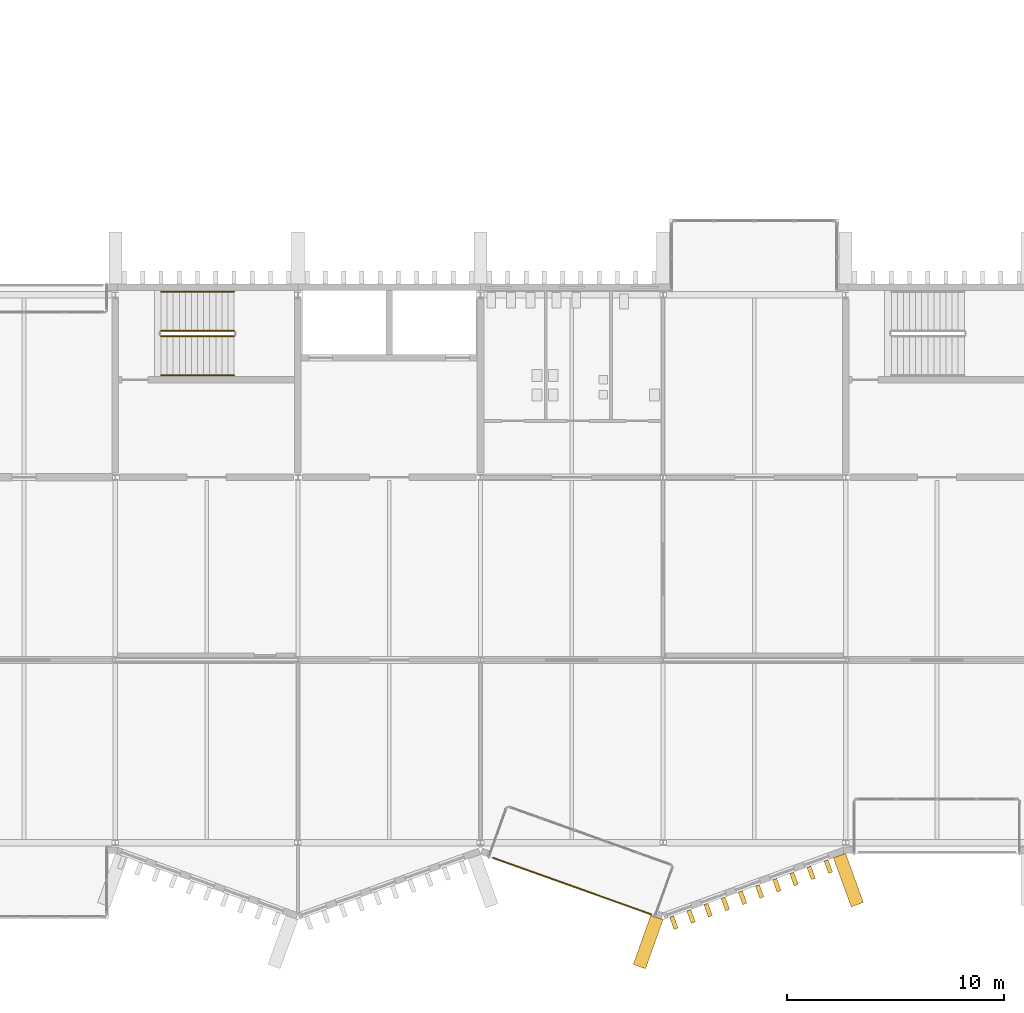
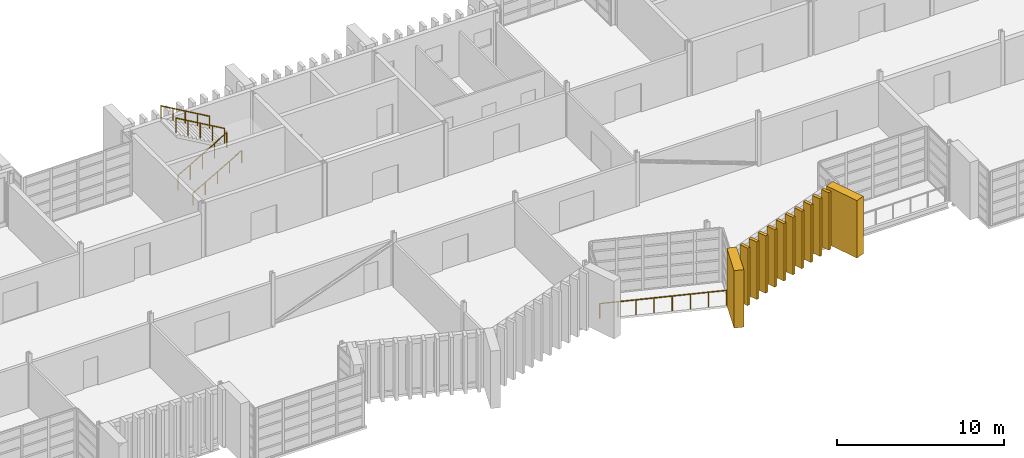
# One storey, part 81 of 88: 12 coverings, 5 railings.
"""IFC4 building model written with IfcOpenShell, lengths in metres."""

from ifc_helpers import new_model, si_unit, direction, frame, origin, origin_2d, place, context, subcontext, project, spatial, rectangle, circle, extrude, material, type_object, element, save


model = new_model("IFC4")

# Units and contexts
model_context = context("Model", 3, precision=1e-05, world=origin(), true_north=direction((0.0, 1.0)))
body_context = subcontext(model_context, "Body", "Model", "MODEL_VIEW")
ifc_project = project(units=[si_unit("LENGTHUNIT", "METRE"), si_unit("AREAUNIT", "SQUARE_METRE"), si_unit("VOLUMEUNIT", "CUBIC_METRE"), si_unit("PLANEANGLEUNIT", "RADIAN"), si_unit("MASSUNIT", "GRAM", prefix="KILO")], contexts=[model_context])

# Site, building, storey
site_placement = place(None, origin())
site = spatial("IfcSite", under=ifc_project, at=site_placement, CompositionType="ELEMENT")
building_placement = place(site_placement, origin())
building = spatial("IfcBuilding", under=site, at=building_placement, Name="Cresset Court Congress Hotel", CompositionType="ELEMENT")
storey_placement = place(building_placement, frame((0.0, 0.0, 14.39990234375)))
storey = spatial("IfcBuildingStorey", under=building, at=storey_placement, Name="L03", CompositionType="ELEMENT", Elevation=14.39990234375)

# Railings
ifc_material_1 = material(Name="Steel and laminated glass", Category="steel")
railing_type_1 = type_object("IfcRailingType", Name="Guard 1100 steel and glass", PredefinedType="GUARDRAIL", material=ifc_material_1)
railing_1_placement = place(storey_placement, frame((102.89990234375, 23.300048828125, 0.16162109375)))
element("IfcRailing", 1, at=railing_1_placement, inside=storey, type_object=railing_type_1, Name="L03 ST-B4 stair guard 1", PredefinedType="GUARDRAIL", context=body_context, shape_type="SweptSolid", body=[
    extrude(circle(Radius=0.02392578125, at=origin_2d()), frame((0.0, 0.0, 1.076171875), z_axis=(0.866190824863, 0.0, 0.499713372768), x_axis=(0.0, 1.0, 0.0)), (0.0, 0.0, 1.0), 3.879150390625),
    extrude(circle(Radius=0.02099609375, at=origin_2d()), origin(), (0.0, 0.0, 1.0), 1.052001953125),
    extrude(circle(Radius=0.02099609375, at=origin_2d()), frame((0.840087890625, 0.0, 0.484619140625)), (0.0, 0.0, 1.0), 1.052001953125),
    extrude(circle(Radius=0.02099609375, at=origin_2d()), frame((1.68017578125, 0.0, 0.96923828125)), (0.0, 0.0, 1.0), 1.052001953125),
    extrude(circle(Radius=0.02099609375, at=origin_2d()), frame((2.52001953125, 0.0, 1.453857421875)), (0.0, 0.0, 1.0), 1.052001953125),
    extrude(circle(Radius=0.02099609375, at=origin_2d()), frame((3.360107421875, 0.0, 1.9384765625)), (0.0, 0.0, 1.0), 1.052001953125),
])
railing_2_placement = place(storey_placement, frame((106.260009765625, 23.550048828125, 2.26171875)))
element("IfcRailing", 2, at=railing_2_placement, inside=storey, type_object=railing_type_1, Name="L03 ST-B4 stair guard 3", PredefinedType="GUARDRAIL", context=body_context, shape_type="SweptSolid", body=[
    extrude(circle(Radius=0.02392578125, at=origin_2d()), frame((0.0, 0.0, 1.076171875), z_axis=(-0.866190824863, 0.0, 0.499713372768), x_axis=(0.0, -1.0, 0.0)), (0.0, 0.0, 1.0), 3.879150390625),
    extrude(circle(Radius=0.02099609375, at=origin_2d()), origin(), (0.0, 0.0, 1.0), 1.052001953125),
    extrude(circle(Radius=0.02099609375, at=origin_2d()), frame((-0.840087890625, 0.0, 0.484619140625)), (0.0, 0.0, 1.0), 1.052001953125),
    extrude(circle(Radius=0.02099609375, at=origin_2d()), frame((-1.68017578125, 0.0, 0.96923828125)), (0.0, 0.0, 1.0), 1.052001953125),
    extrude(circle(Radius=0.02099609375, at=origin_2d()), frame((-2.52001953125, 0.0, 1.453857421875)), (0.0, 0.0, 1.0), 1.052001953125),
    extrude(circle(Radius=0.02099609375, at=origin_2d()), frame((-3.360107421875, 0.0, 1.9384765625)), (0.0, 0.0, 1.0), 1.052001953125),
])
ifc_material_2 = material(Name="Steel and laminated glass", Category="steel")
railing_type_2 = type_object("IfcRailingType", Name="Guard 1100 steel and glass external", PredefinedType="GUARDRAIL", material=ifc_material_2)
railing_3_placement = place(storey_placement, frame((118.181884765625, -0.704833984375, 0.0)))
element("IfcRailing", 3, at=railing_3_placement, inside=storey, type_object=railing_type_2, Name="Guard to recess S0317", PredefinedType="GUARDRAIL", context=body_context, shape_type="SweptSolid", body=[
    extrude(circle(Radius=0.02392578125, at=origin_2d()), frame((0.0, 0.0, 1.076171875), z_axis=(0.941748351249, -0.336318365422, 0.0), x_axis=(0.336318365422, 0.941748351249, 0.0)), (0.0, 0.0, 1.0), 7.719482421875),
    extrude(circle(Radius=0.02099609375, at=origin_2d()), origin(), (0.0, 0.0, 1.0), 1.052001953125),
    extrude(circle(Radius=0.02099609375, at=origin_2d()), frame((1.03857421875, -0.370849609375, 0.0)), (0.0, 0.0, 1.0), 1.052001953125),
    extrude(circle(Radius=0.02099609375, at=origin_2d()), frame((2.0771484375, -0.74169921875, 0.0)), (0.0, 0.0, 1.0), 1.052001953125),
    extrude(circle(Radius=0.02099609375, at=origin_2d()), frame((3.11572265625, -1.112548828125, 0.0)), (0.0, 0.0, 1.0), 1.052001953125),
    extrude(circle(Radius=0.02099609375, at=origin_2d()), frame((4.154052734375, -1.483642578125, 0.0)), (0.0, 0.0, 1.0), 1.052001953125),
    extrude(circle(Radius=0.02099609375, at=origin_2d()), frame((5.192626953125, -1.8544921875, 0.0)), (0.0, 0.0, 1.0), 1.052001953125),
    extrude(circle(Radius=0.02099609375, at=origin_2d()), frame((6.231201171875, -2.225341796875, 0.0)), (0.0, 0.0, 1.0), 1.052001953125),
    extrude(circle(Radius=0.02099609375, at=origin_2d()), frame((7.269775390625, -2.59619140625, 0.0)), (0.0, 0.0, 1.0), 1.052001953125),
])
ifc_material_3 = material(Name="Stainless steel", Category="steel")
railing_type_3 = type_object("IfcRailingType", Name="Handrail 48 stainless", PredefinedType="HANDRAIL", material=ifc_material_3)
railing_4_placement = place(storey_placement, frame((102.89990234375, 21.5, 0.16162109375)))
element("IfcRailing", 4, at=railing_4_placement, inside=storey, type_object=railing_type_3, Name="L03 ST-B4 stair handrail 1", PredefinedType="HANDRAIL", context=body_context, shape_type="SweptSolid", body=[
    extrude(circle(Radius=0.02392578125, at=origin_2d()), frame((0.0, 0.0, 0.8759765625), z_axis=(0.866190824863, 0.0, 0.499713372768), x_axis=(0.0, 1.0, 0.0)), (0.0, 0.0, 1.0), 3.879150390625),
    extrude(circle(Radius=0.02099609375, at=origin_2d()), origin(), (0.0, 0.0, 1.0), 0.851806640625),
    extrude(circle(Radius=0.02099609375, at=origin_2d()), frame((0.840087890625, 0.0, 0.484619140625)), (0.0, 0.0, 1.0), 0.851806640625),
    extrude(circle(Radius=0.02099609375, at=origin_2d()), frame((1.68017578125, 0.0, 0.96923828125)), (0.0, 0.0, 1.0), 0.851806640625),
    extrude(circle(Radius=0.02099609375, at=origin_2d()), frame((2.52001953125, 0.0, 1.453857421875)), (0.0, 0.0, 1.0), 0.851806640625),
    extrude(circle(Radius=0.02099609375, at=origin_2d()), frame((3.360107421875, 0.0, 1.9384765625)), (0.0, 0.0, 1.0), 0.851806640625),
])
railing_5_placement = place(storey_placement, frame((106.260009765625, 25.35009765625, 2.26171875)))
element("IfcRailing", 5, at=railing_5_placement, inside=storey, type_object=railing_type_3, Name="L03 ST-B4 stair handrail 2", PredefinedType="HANDRAIL", context=body_context, shape_type="SweptSolid", body=[
    extrude(circle(Radius=0.02392578125, at=origin_2d()), frame((0.0, 0.0, 0.8759765625), z_axis=(-0.866190824863, 0.0, 0.499713372768), x_axis=(0.0, -1.0, 0.0)), (0.0, 0.0, 1.0), 3.879150390625),
    extrude(circle(Radius=0.02099609375, at=origin_2d()), origin(), (0.0, 0.0, 1.0), 0.851806640625),
    extrude(circle(Radius=0.02099609375, at=origin_2d()), frame((-0.840087890625, 0.0, 0.484619140625)), (0.0, 0.0, 1.0), 0.851806640625),
    extrude(circle(Radius=0.02099609375, at=origin_2d()), frame((-1.68017578125, 0.0, 0.96923828125)), (0.0, 0.0, 1.0), 0.851806640625),
    extrude(circle(Radius=0.02099609375, at=origin_2d()), frame((-2.52001953125, 0.0, 1.453857421875)), (0.0, 0.0, 1.0), 0.851806640625),
    extrude(circle(Radius=0.02099609375, at=origin_2d()), frame((-3.360107421875, 0.0, 1.9384765625)), (0.0, 0.0, 1.0), 0.851806640625),
])

# Coverings
ifc_material_4 = material(Name="Precast concrete C50", Category="concrete")
covering_type_1 = type_object("IfcCoveringType", Name="Precast stone fin 200x600 variant 1", PredefinedType="CLADDING", material=ifc_material_4)
for number, where, z_axis, x_axis, name in (
    (6, (126.4970703125, -3.688720703125, 0.0), (0.0, 0.0, 1.0), (0.939956783309, 0.341293488819, 0.0), "Fin S03-140"),
    (7, (127.28662109375, -3.40185546875, 0.0), (0.0, 0.0, 1.0), (0.939956783309, 0.341293488819, 0.0), "Fin S03-141"),
    (8, (128.076416015625, -3.115234375, 0.0), (0.0, 0.0, 1.0), (0.939956783309, 0.341293488819, 0.0), "Fin S03-142"),
    (9, (128.865966796875, -2.82861328125, 0.0), (0.0, 0.0, 1.0), (0.939956783309, 0.341293488819, 0.0), "Fin S03-143"),
    (10, (129.655517578125, -2.5419921875, 0.0), (0.0, 0.0, 1.0), (0.939956783309, 0.341293488819, 0.0), "Fin S03-144"),
    (11, (130.445068359375, -2.255126953125, 0.0), (0.0, 0.0, 1.0), (0.939956783309, 0.341293488819, 0.0), "Fin S03-145"),
    (12, (131.234619140625, -1.968505859375, 0.0), (0.0, 0.0, 1.0), (0.939956783309, 0.341293488819, 0.0), "Fin S03-146"),
    (13, (132.024169921875, -1.681884765625, 0.0), (0.0, 0.0, 1.0), (0.939956783309, 0.341293488819, 0.0), "Fin S03-147"),
    (14, (132.813720703125, -1.395263671875, 0.0), (0.0, 0.0, 1.0), (0.939956783309, 0.341293488819, 0.0), "Fin S03-148"),
    (15, (133.603271484375, -1.1083984375, 0.0), (0.0, 0.0, 1.0), (0.939956783309, 0.341293488819, 0.0), "Fin S03-149"),
):
    element("IfcCovering", number, at=place(storey_placement, frame(where, z_axis=z_axis, x_axis=x_axis)), inside=storey, type_object=covering_type_1, Name=name, PredefinedType="CLADDING", context=body_context, shape_type="SweptSolid", body=[
        extrude(rectangle(XDim=0.199951171875, YDim=0.60009765625, at=origin_2d()), origin(), (0.0, 0.0, 1.0), 4.199951171875),
    ])
ifc_material_5 = material(Name="Precast concrete C50", Category="concrete")
covering_type_2 = type_object("IfcCoveringType", Name="Precast stone pier 600x2400", PredefinedType="CLADDING", material=ifc_material_5)
for number, where, z_axis, x_axis, name in (
    (16, (125.31396484375, -4.5791015625, 0.0), (0.0, 0.0, 1.0), (0.94174205282, -0.336336001568, 0.0), "Pier S03-14"),
    (17, (134.527587890625, -1.730224609375, 0.0), (0.0, 0.0, 1.0), (0.939956783309, 0.341293488819, 0.0), "Pier S03-15"),
):
    element("IfcCovering", number, at=place(storey_placement, frame(where, z_axis=z_axis, x_axis=x_axis)), inside=storey, type_object=covering_type_2, Name=name, PredefinedType="CLADDING", context=body_context, shape_type="SweptSolid", body=[
        extrude(rectangle(XDim=0.60009765625, YDim=2.39990234375, at=origin_2d()), origin(), (0.0, 0.0, 1.0), 4.199951171875),
    ])

save(model, "model.ifc")
